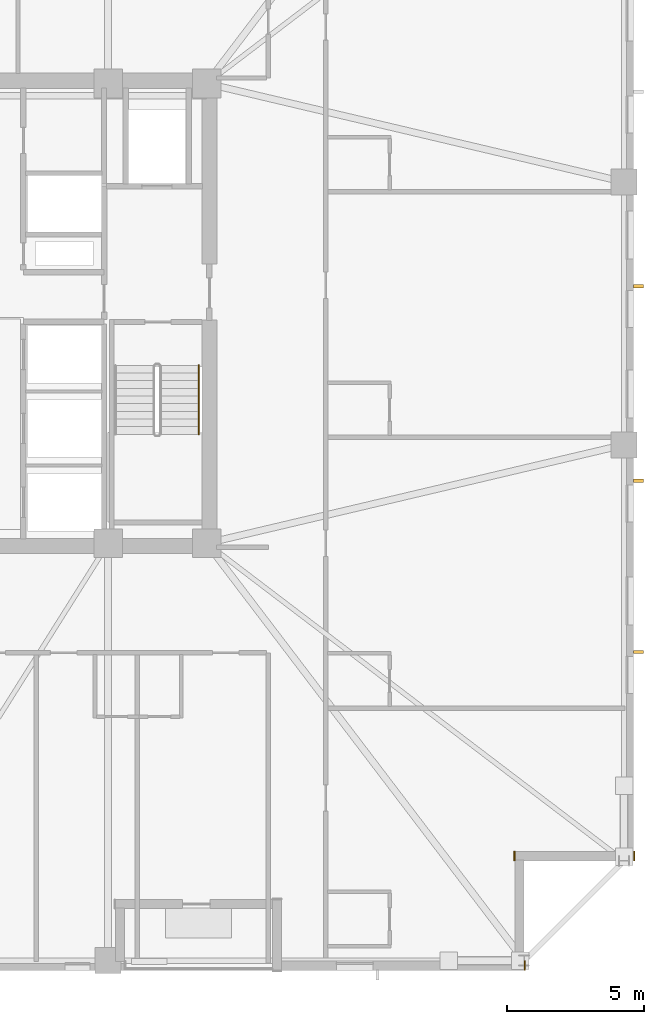
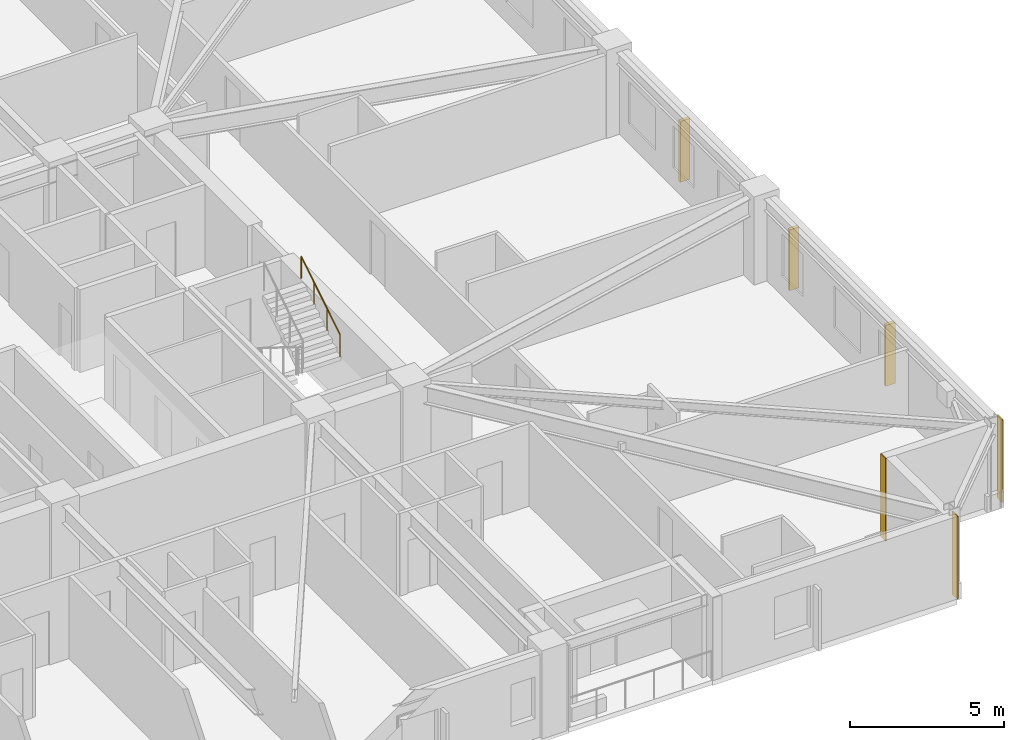
# One storey, part 9 of 11: 3 coverings, 3 shading devices, 1 railing.
"""IFC4 building model written with IfcOpenShell, lengths in metres."""

from ifc_helpers import new_model, si_unit, direction, frame, frame_2d, origin, origin_2d, place, context, subcontext, project, spatial, rectangle, circle, extrude, material, layer, layer_set, type_object, element, save


model = new_model("IFC4")

# Units and contexts
model_context = context("Model", 3, precision=1e-05, world=origin(), true_north=direction((0.0, 1.0)))
body_context = subcontext(model_context, "Body", "Model", "MODEL_VIEW")
ifc_project = project(units=[si_unit("LENGTHUNIT", "METRE"), si_unit("AREAUNIT", "SQUARE_METRE"), si_unit("VOLUMEUNIT", "CUBIC_METRE"), si_unit("PLANEANGLEUNIT", "RADIAN"), si_unit("MASSUNIT", "GRAM", prefix="KILO")], contexts=[model_context])

# Site, building, storey
site_placement = place(None, origin())
site = spatial("IfcSite", under=ifc_project, at=site_placement, CompositionType="ELEMENT")
building_placement = place(site_placement, origin())
building = spatial("IfcBuilding", under=site, at=building_placement, Name="Cairnveth Concourse Tower", CompositionType="ELEMENT")
storey_placement = place(building_placement, frame((0.0, 0.0, 162.0)))
storey = spatial("IfcBuildingStorey", under=building, at=storey_placement, Name="L44", CompositionType="ELEMENT", Elevation=162.0)

# Coverings
ifc_material_1 = material(Name="Dressed Melbourne Bluestone Cladding", Category="masonry")
ifc_layer = layer(ifc_material_1, 0.050048828125)
ifc_layer_set = layer_set([ifc_layer], Name="Dressed Melbourne Bluestone Cladding")
covering_type = type_object("IfcCoveringType", Name="DRESSED BLUESTONE PLINTH CLADDING 50", PredefinedType="CLADDING", material=ifc_layer_set)
for number, where, z_axis, x_axis, name in (
    (1, (76.02001953125, 19.340087890625, 0.0), (0.0, 0.0, 1.0), (0.0, -1.0, 0.0), "Melbourne Bluestone Corner Quoin L44-653"),
    (2, (71.639892578125, 19.340087890625, 0.0), (0.0, 0.0, 1.0), (0.0, -1.0, 0.0), "Melbourne Bluestone Corner Quoin L44-654"),
    (3, (72.02001953125, 15.340087890625, 0.0), (0.0, 0.0, 1.0), (0.0, -1.0, 0.0), "Melbourne Bluestone Corner Quoin L44-655"),
):
    element("IfcCovering", number, at=place(storey_placement, frame(where, z_axis=z_axis, x_axis=x_axis)), inside=storey, type_object=covering_type, Name=name, PredefinedType="CLADDING", context=body_context, shape_type="SweptSolid", body=[
        extrude(rectangle(XDim=0.340087890625, YDim=0.050048828125, at=frame_2d((0.169921875, 0.0))), origin(), (0.0, 0.0, 1.0), 3.280029296875),
    ])

# Shading devices
ifc_material_2 = material(Name="Architectural Bronze Anodised Aluminium 6063-T6", Category="aluminium")
shading_device_type = type_object("IfcShadingDeviceType", Name="GOTHIC BRONZE VERTICAL LANCET FIN", PredefinedType="USERDEFINED", material=ifc_material_2)
for number, where, z_axis, x_axis, name in (
    (4, (76.175048828125, 39.993896484375, 0.030029296875), (0.0, 0.0, 1.0), (0.0, 1.0, 0.0), "Gothic Bronze Vertical Fin L44-9-5"),
    (5, (76.175048828125, 32.886962890625, 0.030029296875), (0.0, 0.0, 1.0), (0.0, 1.0, 0.0), "Gothic Bronze Vertical Fin L44-9-7"),
    (6, (76.175048828125, 26.6298828125, 0.030029296875), (0.0, 0.0, 1.0), (0.0, 1.0, 0.0), "Gothic Bronze Vertical Fin L44-9-9"),
):
    element("IfcShadingDevice", number, at=place(storey_placement, frame(where, z_axis=z_axis, x_axis=x_axis)), inside=storey, type_object=shading_device_type, Name=name, ObjectType="VERTICAL FIN", PredefinedType="USERDEFINED", context=body_context, shape_type="SweptSolid", body=[
        extrude(rectangle(XDim=0.1201171875, YDim=0.360107421875, at=origin_2d()), origin(), (0.0, 0.0, 1.0), 2.419921875),
    ])

# Railing
ifc_material_3 = material(Name="Steel Grade 350", Category="steel")
railing_type = type_object("IfcRailingType", Name="STAIR WALL HANDRAIL 900", PredefinedType="HANDRAIL", material=ifc_material_3)
railing_placement = place(storey_placement, frame((60.110107421875, 34.580078125, 1.925048828125)))
element("IfcRailing", 7, at=railing_placement, inside=storey, type_object=railing_type, Name="L44 ST-2 stair handrail 2", PredefinedType="HANDRAIL", context=body_context, shape_type="SweptSolid", body=[
    extrude(circle(Radius=0.02392578125, at=origin_2d()), frame((0.0, 0.0, 0.8759765625), z_axis=(0.0, 0.848007534815, 0.529984170421), x_axis=(-1.0, 0.0, 0.0)), (0.0, 0.0, 1.0), 2.9716796875),
    extrude(circle(Radius=0.02099609375, at=origin_2d()), origin(), (0.0, 0.0, 1.0), 0.851806640625),
    extrude(circle(Radius=0.02099609375, at=origin_2d()), frame((0.0, 0.840087890625, 0.52490234375)), (0.0, 0.0, 1.0), 0.851806640625),
    extrude(circle(Radius=0.02099609375, at=origin_2d()), frame((0.0, 1.679931640625, 1.050048828125)), (0.0, 0.0, 1.0), 0.851806640625),
    extrude(circle(Radius=0.02099609375, at=origin_2d()), frame((0.0, 2.52001953125, 1.574951171875)), (0.0, 0.0, 1.0), 0.851806640625),
])

save(model, "model.ifc")
